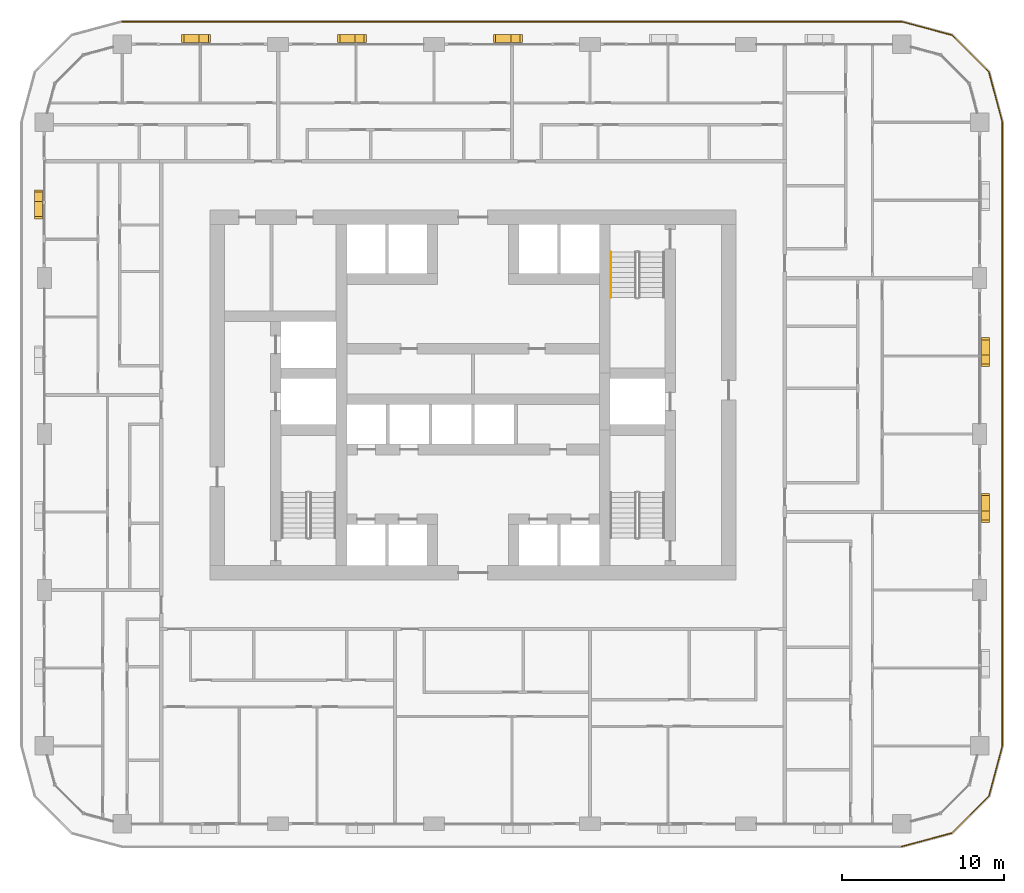
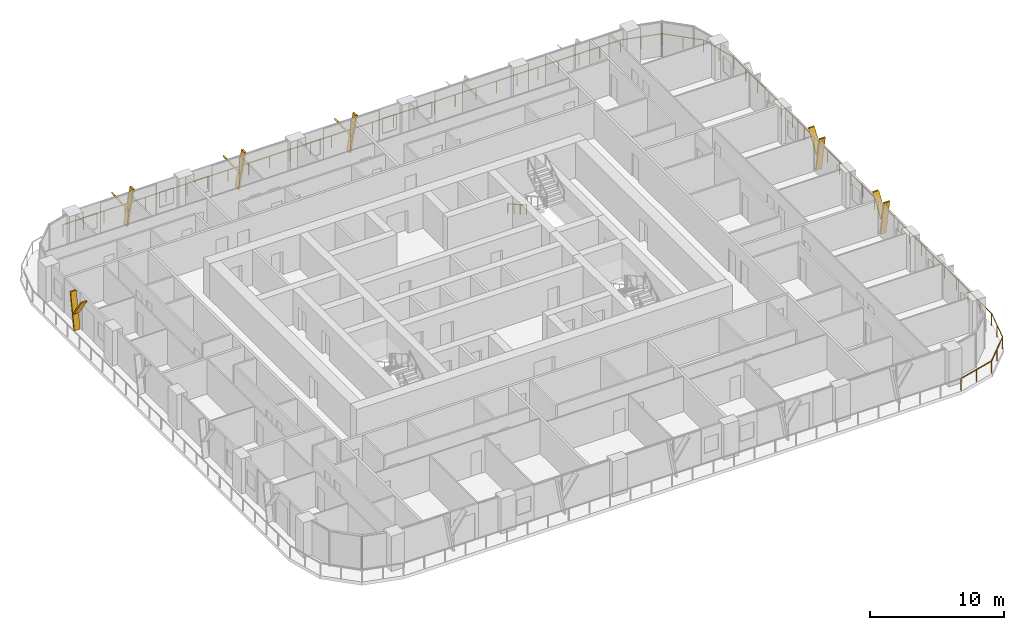
# One storey, part 21 of 22: 12 shading devices, 2 railings.
"""IFC4 building model written with IfcOpenShell, lengths in metres."""

from ifc_helpers import new_model, si_unit, direction, frame, origin, origin_2d, place, context, subcontext, project, spatial, polyline, circle, outline, extrude, material, type_object, element, save


model = new_model("IFC4")

# Units and contexts
model_context = context("Model", 3, precision=1e-05, world=origin(), true_north=direction((0.0, 1.0)))
body_context = subcontext(model_context, "Body", "Model", "MODEL_VIEW")
ifc_project = project(units=[si_unit("LENGTHUNIT", "METRE"), si_unit("AREAUNIT", "SQUARE_METRE"), si_unit("VOLUMEUNIT", "CUBIC_METRE"), si_unit("PLANEANGLEUNIT", "RADIAN"), si_unit("MASSUNIT", "GRAM", prefix="KILO")], contexts=[model_context])

# Site, building, storey
site_placement = place(None, origin())
site = spatial("IfcSite", under=ifc_project, at=site_placement, CompositionType="ELEMENT")
building_placement = place(site_placement, origin())
building = spatial("IfcBuilding", under=site, at=building_placement, Name="Madar Terraces", CompositionType="ELEMENT")
storey_placement = place(building_placement, frame((0.0, 0.0, 73.300048828125)))
storey = spatial("IfcBuildingStorey", under=building, at=storey_placement, Name="L18", CompositionType="ELEMENT", Elevation=73.300048828125)

# Railing
ifc_material_1 = material(Name="Glass, safety glazing, with stainless steel posts", Category="steel")
railing_type_1 = type_object("IfcRailingType", Name="Balcony glass guard 1100", PredefinedType="GUARDRAIL", material=ifc_material_1)
railing_1_placement = place(storey_placement, frame((57.60009765625, -1.39990234375, 0.0)))
element("IfcRailing", 1, at=railing_1_placement, inside=storey, type_object=railing_type_1, Name="Balcony guard", PredefinedType="GUARDRAIL", context=body_context, shape_type="SweptSolid", body=[
    extrude(circle(Radius=0.02392578125, at=origin_2d()), frame((0.0, 0.0, 1.076171875), z_axis=(0.965928696102, 0.258808334578, 0.0), x_axis=(-0.258808334578, 0.965928696102, 0.0)), (0.0, 0.0, 1.0), 3.209228515625),
    extrude(circle(Radius=0.02392578125, at=origin_2d()), frame((3.099853515625, 0.83056640625, 1.076171875), z_axis=(0.707144815061, 0.707068745266, 0.0), x_axis=(-0.707068745266, 0.707144815061, 0.0)), (0.0, 0.0, 1.0), 3.20947265625),
    extrude(circle(Radius=0.02392578125, at=origin_2d()), frame((5.369384765625, 3.099853515625, 1.076171875), z_axis=(0.258789317819, 0.9659337912, 0.0), x_axis=(-0.9659337912, 0.258789317819, 0.0)), (0.0, 0.0, 1.0), 3.20947265625),
    extrude(circle(Radius=0.02392578125, at=origin_2d()), frame((6.199951171875, 6.199951171875, 1.076171875), z_axis=(0.0, 1.0, 0.0), x_axis=(-1.0, 0.0, 0.0)), (0.0, 0.0, 1.0), 38.39990234375),
    extrude(circle(Radius=0.02392578125, at=origin_2d()), frame((6.199951171875, 44.599853515625, 1.076171875), z_axis=(-0.258789317819, 0.9659337912, 0.0), x_axis=(-0.9659337912, -0.258789317819, 0.0)), (0.0, 0.0, 1.0), 3.20947265625),
    extrude(circle(Radius=0.02392578125, at=origin_2d()), frame((5.369384765625, 47.699951171875, 1.076171875), z_axis=(-0.707144815061, 0.707068745266, 0.0), x_axis=(-0.707068745266, -0.707144815061, 0.0)), (0.0, 0.0, 1.0), 3.20947265625),
    extrude(circle(Radius=0.02392578125, at=origin_2d()), frame((3.099853515625, 49.96923828125, 1.076171875), z_axis=(-0.965928696102, 0.258808334578, 0.0), x_axis=(-0.258808334578, -0.965928696102, 0.0)), (0.0, 0.0, 1.0), 3.209228515625),
    extrude(circle(Radius=0.02392578125, at=origin_2d()), frame((0.0, 50.7998046875, 1.076171875), z_axis=(-1.0, 0.0, 0.0), x_axis=(0.0, -1.0, 0.0)), (0.0, 0.0, 1.0), 48.0),
    extrude(circle(Radius=0.02099609375, at=origin_2d()), origin(), (0.0, 0.0, 1.0), 1.052001953125),
    extrude(circle(Radius=0.02099609375, at=origin_2d()), frame((1.5498046875, 0.415283203125, 0.0)), (0.0, 0.0, 1.0), 1.052001953125),
    extrude(circle(Radius=0.02099609375, at=origin_2d()), frame((3.099853515625, 0.83056640625, 0.0)), (0.0, 0.0, 1.0), 1.052001953125),
    extrude(circle(Radius=0.02099609375, at=origin_2d()), frame((4.234619140625, 1.96533203125, 0.0)), (0.0, 0.0, 1.0), 1.052001953125),
    extrude(circle(Radius=0.02099609375, at=origin_2d()), frame((5.369384765625, 3.099853515625, 0.0)), (0.0, 0.0, 1.0), 1.052001953125),
    extrude(circle(Radius=0.02099609375, at=origin_2d()), frame((5.78466796875, 4.64990234375, 0.0)), (0.0, 0.0, 1.0), 1.052001953125),
    extrude(circle(Radius=0.02099609375, at=origin_2d()), frame((6.199951171875, 6.199951171875, 0.0)), (0.0, 0.0, 1.0), 1.052001953125),
    extrude(circle(Radius=0.02099609375, at=origin_2d()), frame((6.199951171875, 7.9453125, 0.0)), (0.0, 0.0, 1.0), 1.052001953125),
    extrude(circle(Radius=0.02099609375, at=origin_2d()), frame((6.199951171875, 9.69091796875, 0.0)), (0.0, 0.0, 1.0), 1.052001953125),
    extrude(circle(Radius=0.02099609375, at=origin_2d()), frame((6.199951171875, 11.436279296875, 0.0)), (0.0, 0.0, 1.0), 1.052001953125),
    extrude(circle(Radius=0.02099609375, at=origin_2d()), frame((6.199951171875, 13.181640625, 0.0)), (0.0, 0.0, 1.0), 1.052001953125),
    extrude(circle(Radius=0.02099609375, at=origin_2d()), frame((6.199951171875, 14.92724609375, 0.0)), (0.0, 0.0, 1.0), 1.052001953125),
    extrude(circle(Radius=0.02099609375, at=origin_2d()), frame((6.199951171875, 16.672607421875, 0.0)), (0.0, 0.0, 1.0), 1.052001953125),
    extrude(circle(Radius=0.02099609375, at=origin_2d()), frame((6.199951171875, 18.418212890625, 0.0)), (0.0, 0.0, 1.0), 1.052001953125),
    extrude(circle(Radius=0.02099609375, at=origin_2d()), frame((6.199951171875, 20.16357421875, 0.0)), (0.0, 0.0, 1.0), 1.052001953125),
    extrude(circle(Radius=0.02099609375, at=origin_2d()), frame((6.199951171875, 21.908935546875, 0.0)), (0.0, 0.0, 1.0), 1.052001953125),
    extrude(circle(Radius=0.02099609375, at=origin_2d()), frame((6.199951171875, 23.654541015625, 0.0)), (0.0, 0.0, 1.0), 1.052001953125),
    extrude(circle(Radius=0.02099609375, at=origin_2d()), frame((6.199951171875, 25.39990234375, 0.0)), (0.0, 0.0, 1.0), 1.052001953125),
    extrude(circle(Radius=0.02099609375, at=origin_2d()), frame((6.199951171875, 27.145263671875, 0.0)), (0.0, 0.0, 1.0), 1.052001953125),
    extrude(circle(Radius=0.02099609375, at=origin_2d()), frame((6.199951171875, 28.890869140625, 0.0)), (0.0, 0.0, 1.0), 1.052001953125),
    extrude(circle(Radius=0.02099609375, at=origin_2d()), frame((6.199951171875, 30.63623046875, 0.0)), (0.0, 0.0, 1.0), 1.052001953125),
    extrude(circle(Radius=0.02099609375, at=origin_2d()), frame((6.199951171875, 32.381591796875, 0.0)), (0.0, 0.0, 1.0), 1.052001953125),
    extrude(circle(Radius=0.02099609375, at=origin_2d()), frame((6.199951171875, 34.127197265625, 0.0)), (0.0, 0.0, 1.0), 1.052001953125),
    extrude(circle(Radius=0.02099609375, at=origin_2d()), frame((6.199951171875, 35.87255859375, 0.0)), (0.0, 0.0, 1.0), 1.052001953125),
    extrude(circle(Radius=0.02099609375, at=origin_2d()), frame((6.199951171875, 37.6181640625, 0.0)), (0.0, 0.0, 1.0), 1.052001953125),
    extrude(circle(Radius=0.02099609375, at=origin_2d()), frame((6.199951171875, 39.363525390625, 0.0)), (0.0, 0.0, 1.0), 1.052001953125),
    extrude(circle(Radius=0.02099609375, at=origin_2d()), frame((6.199951171875, 41.10888671875, 0.0)), (0.0, 0.0, 1.0), 1.052001953125),
    extrude(circle(Radius=0.02099609375, at=origin_2d()), frame((6.199951171875, 42.8544921875, 0.0)), (0.0, 0.0, 1.0), 1.052001953125),
    extrude(circle(Radius=0.02099609375, at=origin_2d()), frame((6.199951171875, 44.599853515625, 0.0)), (0.0, 0.0, 1.0), 1.052001953125),
    extrude(circle(Radius=0.02099609375, at=origin_2d()), frame((5.78466796875, 46.14990234375, 0.0)), (0.0, 0.0, 1.0), 1.052001953125),
    extrude(circle(Radius=0.02099609375, at=origin_2d()), frame((5.369384765625, 47.699951171875, 0.0)), (0.0, 0.0, 1.0), 1.052001953125),
    extrude(circle(Radius=0.02099609375, at=origin_2d()), frame((4.234619140625, 48.83447265625, 0.0)), (0.0, 0.0, 1.0), 1.052001953125),
    extrude(circle(Radius=0.02099609375, at=origin_2d()), frame((3.099853515625, 49.96923828125, 0.0)), (0.0, 0.0, 1.0), 1.052001953125),
    extrude(circle(Radius=0.02099609375, at=origin_2d()), frame((1.5498046875, 50.384521484375, 0.0)), (0.0, 0.0, 1.0), 1.052001953125),
    extrude(circle(Radius=0.02099609375, at=origin_2d()), frame((0.0, 50.7998046875, 0.0)), (0.0, 0.0, 1.0), 1.052001953125),
    extrude(circle(Radius=0.02099609375, at=origin_2d()), frame((-1.77783203125, 50.7998046875, 0.0)), (0.0, 0.0, 1.0), 1.052001953125),
    extrude(circle(Radius=0.02099609375, at=origin_2d()), frame((-3.5556640625, 50.7998046875, 0.0)), (0.0, 0.0, 1.0), 1.052001953125),
    extrude(circle(Radius=0.02099609375, at=origin_2d()), frame((-5.333251953125, 50.7998046875, 0.0)), (0.0, 0.0, 1.0), 1.052001953125),
    extrude(circle(Radius=0.02099609375, at=origin_2d()), frame((-7.111083984375, 50.7998046875, 0.0)), (0.0, 0.0, 1.0), 1.052001953125),
    extrude(circle(Radius=0.02099609375, at=origin_2d()), frame((-8.888916015625, 50.7998046875, 0.0)), (0.0, 0.0, 1.0), 1.052001953125),
    extrude(circle(Radius=0.02099609375, at=origin_2d()), frame((-10.666748046875, 50.7998046875, 0.0)), (0.0, 0.0, 1.0), 1.052001953125),
    extrude(circle(Radius=0.02099609375, at=origin_2d()), frame((-12.4443359375, 50.7998046875, 0.0)), (0.0, 0.0, 1.0), 1.052001953125),
    extrude(circle(Radius=0.02099609375, at=origin_2d()), frame((-14.22216796875, 50.7998046875, 0.0)), (0.0, 0.0, 1.0), 1.052001953125),
    extrude(circle(Radius=0.02099609375, at=origin_2d()), frame((-16.0, 50.7998046875, 0.0)), (0.0, 0.0, 1.0), 1.052001953125),
    extrude(circle(Radius=0.02099609375, at=origin_2d()), frame((-17.77783203125, 50.7998046875, 0.0)), (0.0, 0.0, 1.0), 1.052001953125),
    extrude(circle(Radius=0.02099609375, at=origin_2d()), frame((-19.5556640625, 50.7998046875, 0.0)), (0.0, 0.0, 1.0), 1.052001953125),
    extrude(circle(Radius=0.02099609375, at=origin_2d()), frame((-21.333251953125, 50.7998046875, 0.0)), (0.0, 0.0, 1.0), 1.052001953125),
    extrude(circle(Radius=0.02099609375, at=origin_2d()), frame((-23.111083984375, 50.7998046875, 0.0)), (0.0, 0.0, 1.0), 1.052001953125),
    extrude(circle(Radius=0.02099609375, at=origin_2d()), frame((-24.888916015625, 50.7998046875, 0.0)), (0.0, 0.0, 1.0), 1.052001953125),
    extrude(circle(Radius=0.02099609375, at=origin_2d()), frame((-26.666748046875, 50.7998046875, 0.0)), (0.0, 0.0, 1.0), 1.052001953125),
    extrude(circle(Radius=0.02099609375, at=origin_2d()), frame((-28.4443359375, 50.7998046875, 0.0)), (0.0, 0.0, 1.0), 1.052001953125),
    extrude(circle(Radius=0.02099609375, at=origin_2d()), frame((-30.22216796875, 50.7998046875, 0.0)), (0.0, 0.0, 1.0), 1.052001953125),
    extrude(circle(Radius=0.02099609375, at=origin_2d()), frame((-32.0, 50.7998046875, 0.0)), (0.0, 0.0, 1.0), 1.052001953125),
    extrude(circle(Radius=0.02099609375, at=origin_2d()), frame((-33.77783203125, 50.7998046875, 0.0)), (0.0, 0.0, 1.0), 1.052001953125),
    extrude(circle(Radius=0.02099609375, at=origin_2d()), frame((-35.5556640625, 50.7998046875, 0.0)), (0.0, 0.0, 1.0), 1.052001953125),
    extrude(circle(Radius=0.02099609375, at=origin_2d()), frame((-37.333251953125, 50.7998046875, 0.0)), (0.0, 0.0, 1.0), 1.052001953125),
    extrude(circle(Radius=0.02099609375, at=origin_2d()), frame((-39.111083984375, 50.7998046875, 0.0)), (0.0, 0.0, 1.0), 1.052001953125),
    extrude(circle(Radius=0.02099609375, at=origin_2d()), frame((-40.888916015625, 50.7998046875, 0.0)), (0.0, 0.0, 1.0), 1.052001953125),
    extrude(circle(Radius=0.02099609375, at=origin_2d()), frame((-42.666748046875, 50.7998046875, 0.0)), (0.0, 0.0, 1.0), 1.052001953125),
    extrude(circle(Radius=0.02099609375, at=origin_2d()), frame((-44.4443359375, 50.7998046875, 0.0)), (0.0, 0.0, 1.0), 1.052001953125),
    extrude(circle(Radius=0.02099609375, at=origin_2d()), frame((-46.22216796875, 50.7998046875, 0.0)), (0.0, 0.0, 1.0), 1.052001953125),
    extrude(circle(Radius=0.02099609375, at=origin_2d()), frame((-48.0, 50.7998046875, 0.0)), (0.0, 0.0, 1.0), 1.052001953125),
])

# Shading devices
ifc_material_2 = material(Name="Aluminium, black anodised", Category="aluminium")
shading_device_type = type_object("IfcShadingDeviceType", Name="Facade fin blade 140 x 500", PredefinedType="USERDEFINED", material=ifc_material_2)
shading_device_1_placement = place(storey_placement, frame((62.75, 19.1298828125, 0.0), z_axis=(0.0, 0.0, 1.0), x_axis=(0.0, 1.0, 0.0)))
element("IfcShadingDevice", 2, at=shading_device_1_placement, inside=storey, type_object=shading_device_type, Name="FIN L18 E2", ObjectType="FIN", PredefinedType="USERDEFINED", context=body_context, shape_type="SweptSolid", body=[
    extrude(outline(polyline([(0.0, 0.0), (0.14013671875, 0.0), (-0.42431640625, 3.199951171875), (-0.564208984375, 3.199951171875), (0.0, 0.0)])), frame((0.0, 0.25, 0.0), z_axis=(0.0, -1.0, 0.0), x_axis=(1.0, 0.0, 0.0)), (0.0, 0.0, 1.0), 0.5),
])
shading_device_2_placement = place(storey_placement, frame((62.75, 19.01611328125, 1.43994140625), z_axis=(0.0, 0.0, 1.0), x_axis=(0.0, 1.0, 0.0)))
element("IfcShadingDevice", 3, at=shading_device_2_placement, inside=storey, type_object=shading_device_type, Name="FIN L18 E2 branch", ObjectType="FIN", PredefinedType="USERDEFINED", context=body_context, shape_type="SweptSolid", body=[
    extrude(outline(polyline([(0.0, 0.0), (0.139892578125, 0.0), (1.32958984375, 1.760009765625), (1.189697265625, 1.760009765625), (0.0, 0.0)])), frame((0.0, 0.25, 0.0), z_axis=(0.0, -1.0, 0.0), x_axis=(1.0, 0.0, 0.0)), (0.0, 0.0, 1.0), 0.5),
])
shading_device_3_placement = place(storey_placement, frame((62.75, 28.72998046875, 0.0), z_axis=(0.0, 0.0, 1.0), x_axis=(0.0, 1.0, 0.0)))
element("IfcShadingDevice", 4, at=shading_device_3_placement, inside=storey, type_object=shading_device_type, Name="FIN L18 E3", ObjectType="FIN", PredefinedType="USERDEFINED", context=body_context, shape_type="SweptSolid", body=[
    extrude(outline(polyline([(0.0, 0.0), (0.14013671875, 0.0), (-0.42431640625, 3.199951171875), (-0.564208984375, 3.199951171875), (0.0, 0.0)])), frame((0.0, 0.25, 0.0), z_axis=(0.0, -1.0, 0.0), x_axis=(1.0, 0.0, 0.0)), (0.0, 0.0, 1.0), 0.5),
])
shading_device_4_placement = place(storey_placement, frame((62.75, 28.6162109375, 1.43994140625), z_axis=(0.0, 0.0, 1.0), x_axis=(0.0, 1.0, 0.0)))
element("IfcShadingDevice", 5, at=shading_device_4_placement, inside=storey, type_object=shading_device_type, Name="FIN L18 E3 branch", ObjectType="FIN", PredefinedType="USERDEFINED", context=body_context, shape_type="SweptSolid", body=[
    extrude(outline(polyline([(0.0, 0.0), (0.139892578125, 0.0), (1.32958984375, 1.760009765625), (1.189697265625, 1.760009765625), (0.0, 0.0)])), frame((0.0, 0.25, 0.0), z_axis=(0.0, -1.0, 0.0), x_axis=(1.0, 0.0, 0.0)), (0.0, 0.0, 1.0), 0.5),
])
shading_device_5_placement = place(storey_placement, frame((33.669921875, 48.35009765625, 0.0), z_axis=(0.0, 0.0, 1.0), x_axis=(-1.0, 0.0, 0.0)))
element("IfcShadingDevice", 6, at=shading_device_5_placement, inside=storey, type_object=shading_device_type, Name="FIN L18 N3", ObjectType="FIN", PredefinedType="USERDEFINED", context=body_context, shape_type="SweptSolid", body=[
    extrude(outline(polyline([(0.0, 0.0), (0.139892578125, 0.0), (-0.42431640625, 3.199951171875), (-0.564208984375, 3.199951171875), (0.0, 0.0)])), frame((0.0, 0.25, 0.0), z_axis=(0.0, -1.0, 0.0), x_axis=(1.0, 0.0, 0.0)), (0.0, 0.0, 1.0), 0.5),
])
shading_device_6_placement = place(storey_placement, frame((33.783935546875, 48.35009765625, 1.43994140625), z_axis=(0.0, 0.0, 1.0), x_axis=(-1.0, 0.0, 0.0)))
element("IfcShadingDevice", 7, at=shading_device_6_placement, inside=storey, type_object=shading_device_type, Name="FIN L18 N3 branch", ObjectType="FIN", PredefinedType="USERDEFINED", context=body_context, shape_type="SweptSolid", body=[
    extrude(outline(polyline([(0.0, 0.0), (0.14013671875, 0.0), (1.32958984375, 1.760009765625), (1.189697265625, 1.760009765625), (0.0, 0.0)])), frame((0.0, 0.25, 0.0), z_axis=(0.0, -1.0, 0.0), x_axis=(1.0, 0.0, 0.0)), (0.0, 0.0, 1.0), 0.5),
])
shading_device_7_placement = place(storey_placement, frame((24.070068359375, 48.35009765625, 0.0), z_axis=(0.0, 0.0, 1.0), x_axis=(-1.0, 0.0, 0.0)))
element("IfcShadingDevice", 8, at=shading_device_7_placement, inside=storey, type_object=shading_device_type, Name="FIN L18 N4", ObjectType="FIN", PredefinedType="USERDEFINED", context=body_context, shape_type="SweptSolid", body=[
    extrude(outline(polyline([(0.0, 0.0), (0.14013671875, 0.0), (-0.42431640625, 3.199951171875), (-0.564208984375, 3.199951171875), (0.0, 0.0)])), frame((0.0, 0.25, 0.0), z_axis=(0.0, -1.0, 0.0), x_axis=(1.0, 0.0, 0.0)), (0.0, 0.0, 1.0), 0.5),
])
shading_device_8_placement = place(storey_placement, frame((24.183837890625, 48.35009765625, 1.43994140625), z_axis=(0.0, 0.0, 1.0), x_axis=(-1.0, 0.0, 0.0)))
element("IfcShadingDevice", 9, at=shading_device_8_placement, inside=storey, type_object=shading_device_type, Name="FIN L18 N4 branch", ObjectType="FIN", PredefinedType="USERDEFINED", context=body_context, shape_type="SweptSolid", body=[
    extrude(outline(polyline([(0.0, 0.0), (0.139892578125, 0.0), (1.32958984375, 1.760009765625), (1.189697265625, 1.760009765625), (0.0, 0.0)])), frame((0.0, 0.25, 0.0), z_axis=(0.0, -1.0, 0.0), x_axis=(1.0, 0.0, 0.0)), (0.0, 0.0, 1.0), 0.5),
])
shading_device_9_placement = place(storey_placement, frame((14.469970703125, 48.35009765625, 0.0), z_axis=(0.0, 0.0, 1.0), x_axis=(-1.0, 0.0, 0.0)))
element("IfcShadingDevice", 10, at=shading_device_9_placement, inside=storey, type_object=shading_device_type, Name="FIN L18 N5", ObjectType="FIN", PredefinedType="USERDEFINED", context=body_context, shape_type="SweptSolid", body=[
    extrude(outline(polyline([(0.0, 0.0), (0.139892578125, 0.0), (-0.42431640625, 3.199951171875), (-0.564208984375, 3.199951171875), (0.0, 0.0)])), frame((0.0, 0.25, 0.0), z_axis=(0.0, -1.0, 0.0), x_axis=(1.0, 0.0, 0.0)), (0.0, 0.0, 1.0), 0.5),
])
shading_device_10_placement = place(storey_placement, frame((14.583984375, 48.35009765625, 1.43994140625), z_axis=(0.0, 0.0, 1.0), x_axis=(-1.0, 0.0, 0.0)))
element("IfcShadingDevice", 11, at=shading_device_10_placement, inside=storey, type_object=shading_device_type, Name="FIN L18 N5 branch", ObjectType="FIN", PredefinedType="USERDEFINED", context=body_context, shape_type="SweptSolid", body=[
    extrude(outline(polyline([(0.0, 0.0), (0.14013671875, 0.0), (1.32958984375, 1.760009765625), (1.189697265625, 1.760009765625), (0.0, 0.0)])), frame((0.0, 0.25, 0.0), z_axis=(0.0, -1.0, 0.0), x_axis=(1.0, 0.0, 0.0)), (0.0, 0.0, 1.0), 0.5),
])
shading_device_11_placement = place(storey_placement, frame((4.449951171875, 38.469970703125, 0.0), z_axis=(0.0, 0.0, 1.0), x_axis=(0.0, -1.0, 0.0)))
element("IfcShadingDevice", 12, at=shading_device_11_placement, inside=storey, type_object=shading_device_type, Name="FIN L18 W1", ObjectType="FIN", PredefinedType="USERDEFINED", context=body_context, shape_type="SweptSolid", body=[
    extrude(outline(polyline([(0.0, 0.0), (0.139892578125, 0.0), (-0.42431640625, 3.199951171875), (-0.564208984375, 3.199951171875), (0.0, 0.0)])), frame((0.0, 0.25, 0.0), z_axis=(0.0, -1.0, 0.0), x_axis=(1.0, 0.0, 0.0)), (0.0, 0.0, 1.0), 0.5),
])
shading_device_12_placement = place(storey_placement, frame((4.449951171875, 38.583984375, 1.43994140625), z_axis=(0.0, 0.0, 1.0), x_axis=(0.0, -1.0, 0.0)))
element("IfcShadingDevice", 13, at=shading_device_12_placement, inside=storey, type_object=shading_device_type, Name="FIN L18 W1 branch", ObjectType="FIN", PredefinedType="USERDEFINED", context=body_context, shape_type="SweptSolid", body=[
    extrude(outline(polyline([(0.0, 0.0), (0.14013671875, 0.0), (1.32958984375, 1.760009765625), (1.189697265625, 1.760009765625), (0.0, 0.0)])), frame((0.0, 0.25, 0.0), z_axis=(0.0, -1.0, 0.0), x_axis=(1.0, 0.0, 0.0)), (0.0, 0.0, 1.0), 0.5),
])

# Railing
ifc_material_3 = material(Name="Stainless steel railing", Category="steel")
railing_type_2 = type_object("IfcRailingType", Name="Stair handrail 900", PredefinedType="HANDRAIL", material=ifc_material_3)
railing_2_placement = place(storey_placement, frame((39.699951171875, 35.199951171875, 0.175048828125)))
element("IfcRailing", 14, at=railing_2_placement, inside=storey, type_object=railing_type_2, Name="L18 ST2 stair handrail 1", PredefinedType="HANDRAIL", context=body_context, shape_type="SweptSolid", body=[
    extrude(circle(Radius=0.02392578125, at=origin_2d()), frame((0.0, 0.0, 0.8759765625), z_axis=(0.0, -0.870833779661, 0.491577591232), x_axis=(1.0, 0.0, 0.0)), (0.0, 0.0, 1.0), 3.203857421875),
    extrude(circle(Radius=0.02099609375, at=origin_2d()), origin(), (0.0, 0.0, 1.0), 0.851806640625),
    extrude(circle(Radius=0.02099609375, at=origin_2d()), frame((0.0, -0.929931640625, 0.52490234375)), (0.0, 0.0, 1.0), 0.851806640625),
    extrude(circle(Radius=0.02099609375, at=origin_2d()), frame((0.0, -1.860107421875, 1.050048828125)), (0.0, 0.0, 1.0), 0.851806640625),
    extrude(circle(Radius=0.02099609375, at=origin_2d()), frame((0.0, -2.7900390625, 1.574951171875)), (0.0, 0.0, 1.0), 0.851806640625),
])

save(model, "model.ifc")
